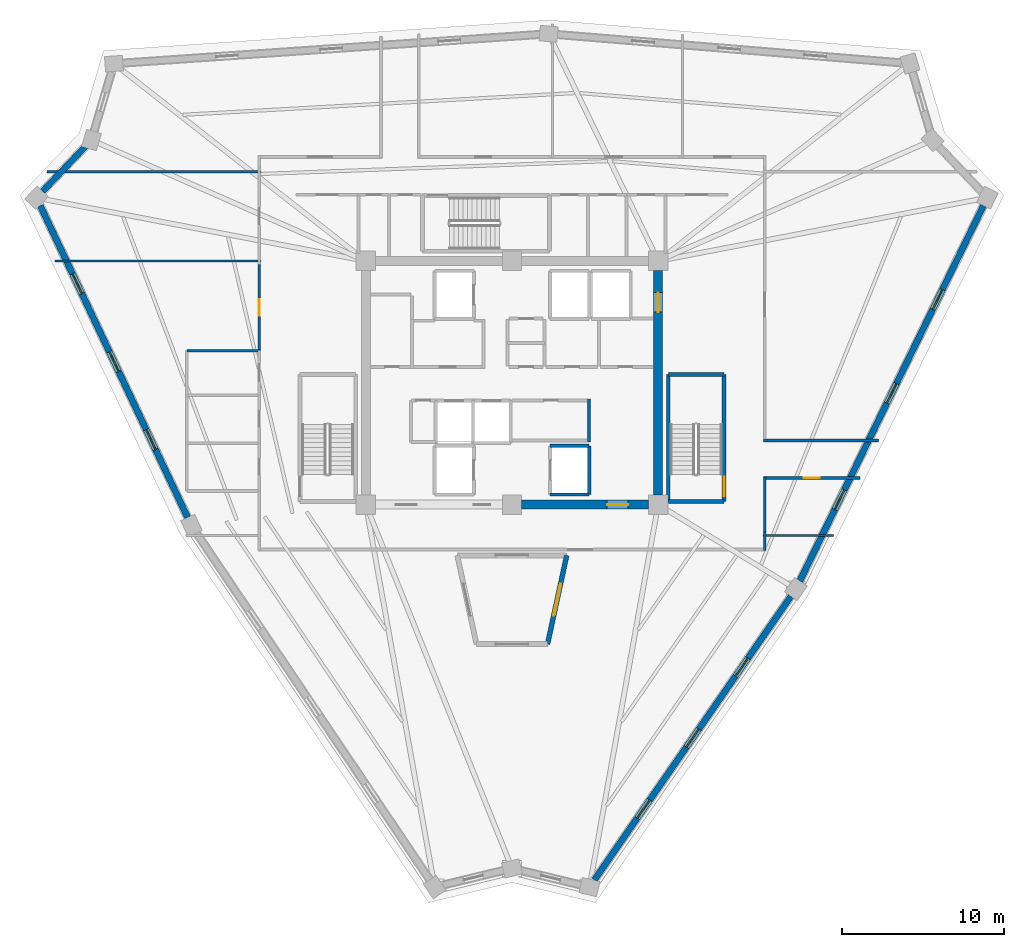
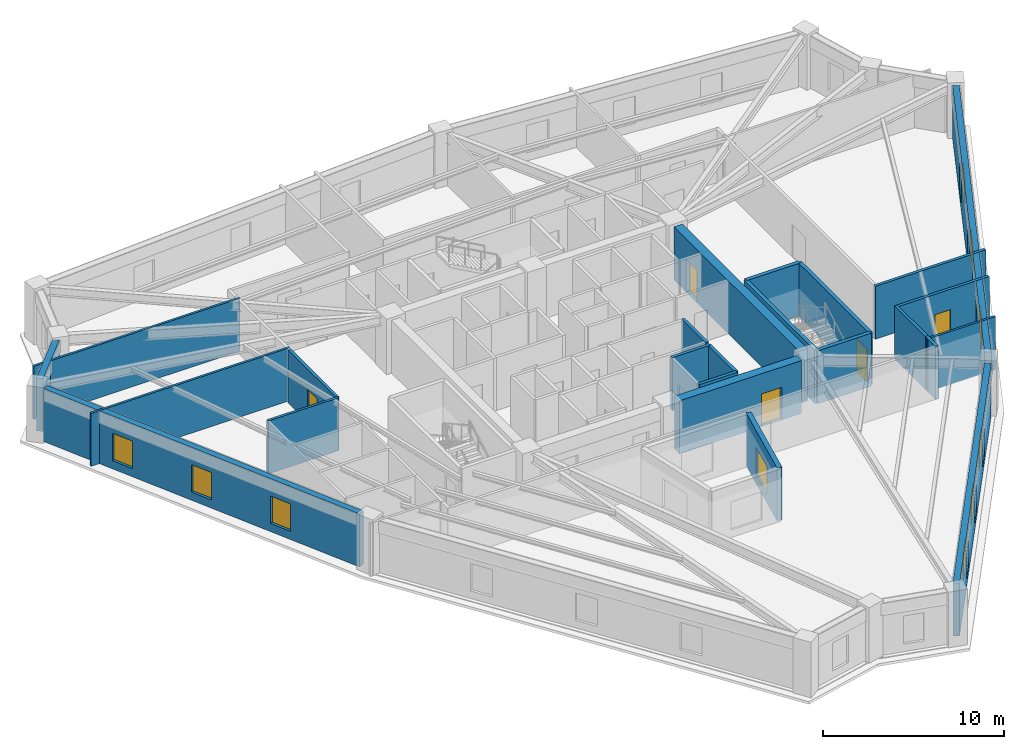
# One storey, part 4 of 9: 24 walls, 10 windows, 5 doors, 15 openings.
"""IFC4 building model written with IfcOpenShell, lengths in metres."""

from ifc_helpers import new_model, si_unit, direction, frame, frame_2d, origin, place, context, subcontext, project, spatial, rectangle, extrude, source, transform, mapped, material, layer, layer_set, type_object, element, fill, save


model = new_model("IFC4")

# Units and contexts
model_context = context("Model", 3, precision=1e-05, world=origin(), true_north=direction((0.0, 1.0)))
body_context = subcontext(model_context, "Body", "Model", "MODEL_VIEW")
ifc_project = project(units=[si_unit("LENGTHUNIT", "METRE"), si_unit("AREAUNIT", "SQUARE_METRE"), si_unit("VOLUMEUNIT", "CUBIC_METRE"), si_unit("PLANEANGLEUNIT", "RADIAN"), si_unit("MASSUNIT", "GRAM", prefix="KILO")], contexts=[model_context])

# Site, building, storey
site_placement = place(None, origin())
site = spatial("IfcSite", under=ifc_project, at=site_placement, CompositionType="ELEMENT")
building_placement = place(site_placement, origin())
building = spatial("IfcBuilding", under=site, at=building_placement, Name="Liaohun Quay Tower", CompositionType="ELEMENT")
storey_placement = place(building_placement, frame((0.0, 0.0, 328.5)))
storey = spatial("IfcBuildingStorey", under=building, at=storey_placement, Name="L85", CompositionType="ELEMENT", Elevation=328.5)

# Wall, opening, window
ifc_material_1 = material(Name="Concrete C50", Category="concrete")
ifc_layer_1 = layer(ifc_material_1, 0.300048828125, Name="Concrete C50", Category="concrete")
ifc_layer_set_1 = layer_set([ifc_layer_1], Name="Concrete C50")
wall_type_1 = type_object("IfcWallType", Name="WAL-ATR-300", PredefinedType="SOLIDWALL", material=ifc_layer_set_1)
wall_1_placement = place(storey_placement, frame((63.368896484375, 43.3701171875, 0.0), z_axis=(0.0, 0.0, 1.0), x_axis=(-0.211279697176, -0.977425644006, 0.0)))
wall_1 = element("IfcWall", 1, at=wall_1_placement, inside=storey, type_object=wall_type_1, Name="L85 Atrium Fire Compartment Wall 3", PredefinedType="SOLIDWALL", context=body_context, shape_type="SweptSolid", body=[
    extrude(rectangle(XDim=5.580078125, YDim=0.300048828125, at=frame_2d((2.7900390625, 0.0))), origin(), (0.0, 0.0, 1.0), 3.570068359375),
])
shared_shape_1 = source(origin(), body_context, "Body", "SweptSolid", [
    extrude(rectangle(XDim=2.0, YDim=1.89990234375, at=frame_2d((1.0, 0.949951171875))), frame((0.0, 0.159912109375, 0.0), z_axis=(0.0, -1.0, 0.0), x_axis=(1.0, 0.0, 0.0)), (0.0, 0.0, 1.0), 0.320068359375),
])
opening_1_placement = place(wall_1_placement, frame((1.7900390625, 0.0, 0.550048828125)))
opening_1 = element("IfcOpeningElement", 2, at=opening_1_placement, cuts=wall_1, Name="Opening W07", PredefinedType="OPENING", context=body_context, shape_type="MappedRepresentation", body=[
    mapped(shared_shape_1, transform((0.0, 0.0, 0.0), x_axis=(1.0, 0.0, 0.0), y_axis=(0.0, 1.0, 0.0), z_axis=(0.0, 0.0, 1.0), scale=1.0)),
])
ifc_material_2 = material(Name="Class A 180-min fire-resistant insulated glazing", Category="glass")
window_type_1 = type_object("IfcWindowType", Name="WIN-ATR-FIR", PartitioningType="DOUBLE_PANEL_VERTICAL", PredefinedType="WINDOW", material=ifc_material_2)
shared_shape_2 = source(origin(), body_context, "Body", "SweptSolid", [
    extrude(rectangle(XDim=2.0, YDim=1.89990234375, at=frame_2d((1.0, 0.949951171875))), frame((0.0, 0.030029296875, 0.0), z_axis=(0.0, -1.0, 0.0), x_axis=(1.0, 0.0, 0.0)), (0.0, 0.0, 1.0), 0.06005859375),
])
window_1_placement = place(opening_1_placement, origin())
window_1 = element("IfcWindow", 3, at=window_1_placement, inside=storey, type_object=window_type_1, Name="L85 Atrium Fire-Resistant Glazing W07-3", OverallHeight=1.89990234375, OverallWidth=2.0, PartitioningType="DOUBLE_PANEL_VERTICAL", PredefinedType="WINDOW", context=body_context, shape_type="MappedRepresentation", body=[
    mapped(shared_shape_2, transform((0.0, 0.0, 0.0), x_axis=(1.0, 0.0, 0.0), y_axis=(0.0, 1.0, 0.0), z_axis=(0.0, 0.0, 1.0), scale=1.0)),
])
fill(opening_1, window_1)

# Wall, opening, door
ifc_layer_2 = layer(ifc_material_1, 0.550048828125, Name="Concrete C50", Category="concrete")
ifc_layer_set_2 = layer_set([ifc_layer_2], Name="Concrete C50")
wall_type_2 = type_object("IfcWallType", Name="WAL-COR-Z4", PredefinedType="SHEAR", material=ifc_layer_set_2)
wall_2_placement = place(storey_placement, frame((69.0, 60.89990234375, 0.0), z_axis=(0.0, 0.0, 1.0), x_axis=(0.0, -1.0, 0.0)))
wall_2 = element("IfcWall", 4, at=wall_2_placement, inside=storey, type_object=wall_type_2, Name="L85 Central Core Shear Wall E", PredefinedType="SHEAR", context=body_context, shape_type="SweptSolid", body=[
    extrude(rectangle(XDim=13.7998046875, YDim=0.550048828125, at=frame_2d((6.89990234375, 0.0))), origin(), (0.0, 0.0, 1.0), 3.570068359375),
])
shared_shape_3 = source(origin(), body_context, "Body", "SweptSolid", [
    extrude(rectangle(XDim=1.199951171875, YDim=2.199951171875, at=frame_2d((0.60009765625, 1.10009765625))), frame((0.0, 0.284912109375, 0.0), z_axis=(0.0, -1.0, 0.0), x_axis=(1.0, 0.0, 0.0)), (0.0, 0.0, 1.0), 0.570068359375),
])
opening_2_placement = place(wall_2_placement, frame((1.35009765625, 0.0, 0.0)))
opening_2 = element("IfcOpeningElement", 5, at=opening_2_placement, cuts=wall_2, Name="Opening SD1", PredefinedType="OPENING", context=body_context, shape_type="MappedRepresentation", body=[
    mapped(shared_shape_3, transform((0.0, 0.0, 0.0), x_axis=(1.0, 0.0, 0.0), y_axis=(0.0, 1.0, 0.0), z_axis=(0.0, 0.0, 1.0), scale=1.0)),
])
ifc_material_3 = material(Name="Galvanised steel fire door", Category="steel")
door_type_1 = type_object("IfcDoorType", Name="DOR-STR-1200", OperationType="NOTDEFINED", PredefinedType="DOOR", material=ifc_material_3)
shared_shape_4 = source(origin(), body_context, "Body", "SweptSolid", [
    extrude(rectangle(XDim=1.199951171875, YDim=2.199951171875, at=frame_2d((0.60009765625, 1.10009765625))), frame((0.0, 0.02490234375, 0.0), z_axis=(0.0, -1.0, 0.0), x_axis=(1.0, 0.0, 0.0)), (0.0, 0.0, 1.0), 0.050048828125),
])
door_1_placement = place(opening_2_placement, origin())
door_1 = element("IfcDoor", 6, at=door_1_placement, inside=storey, type_object=door_type_1, Name="L85 North-East Core Lobby Smokeproof Door", OperationType="SINGLE_SWING_LEFT", OverallHeight=2.199951171875, OverallWidth=1.199951171875, PredefinedType="DOOR", context=body_context, shape_type="MappedRepresentation", body=[
    mapped(shared_shape_4, transform((0.0, 0.0, 0.0), x_axis=(1.0, 0.0, 0.0), y_axis=(0.0, 1.0, 0.0), z_axis=(0.0, 0.0, 1.0), scale=1.0)),
])
fill(opening_2, door_1)

wall_3_placement = place(storey_placement, frame((68.39990234375, 46.5, 0.0), z_axis=(0.0, 0.0, 1.0), x_axis=(-1.0, 0.0, 0.0)))
wall_3 = element("IfcWall", 7, at=wall_3_placement, inside=storey, type_object=wall_type_2, Name="L85 Central Core Shear Wall S-E", PredefinedType="SHEAR", context=body_context, shape_type="SweptSolid", body=[
    extrude(rectangle(XDim=7.7998046875, YDim=0.550048828125, at=frame_2d((3.89990234375, 0.0))), origin(), (0.0, 0.0, 1.0), 3.570068359375),
])
shared_shape_5 = source(origin(), body_context, "Body", "SweptSolid", [
    extrude(rectangle(XDim=1.300048828125, YDim=2.199951171875, at=frame_2d((0.64990234375, 1.10009765625))), frame((0.0, 0.284912109375, 0.0), z_axis=(0.0, -1.0, 0.0), x_axis=(1.0, 0.0, 0.0)), (0.0, 0.0, 1.0), 0.570068359375),
])
opening_3_placement = place(wall_3_placement, frame((1.25, 0.0, 0.0)))
opening_3 = element("IfcOpeningElement", 8, at=opening_3_placement, cuts=wall_3, Name="Opening FD1", PredefinedType="OPENING", context=body_context, shape_type="MappedRepresentation", body=[
    mapped(shared_shape_5, transform((0.0, 0.0, 0.0), x_axis=(1.0, 0.0, 0.0), y_axis=(0.0, 1.0, 0.0), z_axis=(0.0, 0.0, 1.0), scale=1.0)),
])
ifc_material_4 = material(Name="Galvanised steel smokeproof fire door", Category="steel")
door_type_2 = type_object("IfcDoorType", Name="DOR-FFL-1300", OperationType="NOTDEFINED", PredefinedType="DOOR", material=ifc_material_4)
shared_shape_6 = source(origin(), body_context, "Body", "SweptSolid", [
    extrude(rectangle(XDim=1.300048828125, YDim=2.199951171875, at=frame_2d((0.64990234375, 1.10009765625))), frame((0.0, 0.02490234375, 0.0), z_axis=(0.0, -1.0, 0.0), x_axis=(1.0, 0.0, 0.0)), (0.0, 0.0, 1.0), 0.050048828125),
])
door_2_placement = place(opening_3_placement, origin())
door_2 = element("IfcDoor", 9, at=door_2_placement, inside=storey, type_object=door_type_2, Name="L85 East Core Lift Lobby Smokeproof Door", OperationType="SINGLE_SWING_LEFT", OverallHeight=2.199951171875, OverallWidth=1.300048828125, PredefinedType="DOOR", context=body_context, shape_type="MappedRepresentation", body=[
    mapped(shared_shape_6, transform((0.0, 0.0, 0.0), x_axis=(1.0, 0.0, 0.0), y_axis=(0.0, 1.0, 0.0), z_axis=(0.0, 0.0, 1.0), scale=1.0)),
])
fill(opening_3, door_2)

# Wall, openings, windows
ifc_material_5 = material(Name="Precast concrete C50 insulated sandwich", Category="concrete")
ifc_layer_3 = layer(ifc_material_5, 0.3798828125, Name="Precast concrete C50 insulated sandwich", Category="concrete")
ifc_layer_set_3 = layer_set([ifc_layer_3], Name="Precast concrete C50 insulated sandwich")
wall_type_3 = type_object("IfcWallType", Name="WAL-EXT-Z34", PredefinedType="SOLIDWALL", material=ifc_layer_set_3)
wall_4_placement = place(storey_placement, frame((65.076904296875, 23.39599609375, 0.0), z_axis=(0.0, 0.0, 1.0), x_axis=(0.569337280664, 0.822104045025, 0.0)))
wall_4 = element("IfcWall", 10, at=wall_4_placement, inside=storey, type_object=wall_type_3, Name="L85 Brutalist Precast Pier Wall 02", PredefinedType="SOLIDWALL", context=body_context, shape_type="SweptSolid", body=[
    extrude(rectangle(XDim=21.240478515625, YDim=0.3798828125, at=frame_2d((10.6201171875, 0.0))), origin(), (0.0, 0.0, 1.0), 3.570068359375),
])
shared_shape_7 = source(origin(), body_context, "Body", "SweptSolid", [
    extrude(rectangle(XDim=1.35009765625, YDim=1.85009765625, at=frame_2d((0.675048828125, 0.925048828125))), frame((0.0, 0.199951171875, 0.0), z_axis=(0.0, -1.0, 0.0), x_axis=(1.0, 0.0, 0.0)), (0.0, 0.0, 1.0), 0.39990234375),
])
opening_4_placement = place(wall_4_placement, frame((4.635009765625, 0.0, 0.550048828125)))
opening_4 = element("IfcOpeningElement", 11, at=opening_4_placement, cuts=wall_4, Name="Opening W04", PredefinedType="OPENING", context=body_context, shape_type="MappedRepresentation", body=[
    mapped(shared_shape_7, transform((0.0, 0.0, 0.0), x_axis=(1.0, 0.0, 0.0), y_axis=(0.0, 1.0, 0.0), z_axis=(0.0, 0.0, 1.0), scale=1.0)),
])
opening_5_placement = place(wall_4_placement, frame((9.945068359375, 0.0, 0.550048828125)))
opening_5 = element("IfcOpeningElement", 12, at=opening_5_placement, cuts=wall_4, Name="Opening W04", PredefinedType="OPENING", context=body_context, shape_type="MappedRepresentation", body=[
    mapped(shared_shape_7, transform((0.0, 0.0, 0.0), x_axis=(1.0, 0.0, 0.0), y_axis=(0.0, 1.0, 0.0), z_axis=(0.0, 0.0, 1.0), scale=1.0)),
])
opening_6_placement = place(wall_4_placement, frame((15.2548828125, 0.0, 0.550048828125)))
opening_6 = element("IfcOpeningElement", 13, at=opening_6_placement, cuts=wall_4, Name="Opening W04", PredefinedType="OPENING", context=body_context, shape_type="MappedRepresentation", body=[
    mapped(shared_shape_7, transform((0.0, 0.0, 0.0), x_axis=(1.0, 0.0, 0.0), y_axis=(0.0, 1.0, 0.0), z_axis=(0.0, 0.0, 1.0), scale=1.0)),
])
ifc_material_6 = material(Name="Triple Low-E argon glazing in thermally broken aluminium", Category="aluminium")
window_type_2 = type_object("IfcWindowType", Name="WIN-PUN-Z4", PartitioningType="SINGLE_PANEL", PredefinedType="WINDOW", material=ifc_material_6)
shared_shape_8 = source(origin(), body_context, "Body", "SweptSolid", [
    extrude(rectangle(XDim=1.35009765625, YDim=1.85009765625, at=frame_2d((0.675048828125, 0.925048828125))), frame((0.0, 0.030029296875, 0.0), z_axis=(0.0, -1.0, 0.0), x_axis=(1.0, 0.0, 0.0)), (0.0, 0.0, 1.0), 0.06005859375),
])
window_2_placement = place(opening_4_placement, origin())
window_2 = element("IfcWindow", 14, at=window_2_placement, inside=storey, type_object=window_type_2, Name="L85 Recessed Cold-Climate Punched Window 02-1", OverallHeight=1.85009765625, OverallWidth=1.35009765625, PartitioningType="SINGLE_PANEL", PredefinedType="WINDOW", context=body_context, shape_type="MappedRepresentation", body=[
    mapped(shared_shape_8, transform((0.0, 0.0, 0.0), x_axis=(1.0, 0.0, 0.0), y_axis=(0.0, 1.0, 0.0), z_axis=(0.0, 0.0, 1.0), scale=1.0)),
])
fill(opening_4, window_2)
window_3_placement = place(opening_5_placement, origin())
window_3 = element("IfcWindow", 15, at=window_3_placement, inside=storey, type_object=window_type_2, Name="L85 Recessed Cold-Climate Punched Window 02-2", OverallHeight=1.85009765625, OverallWidth=1.35009765625, PartitioningType="SINGLE_PANEL", PredefinedType="WINDOW", context=body_context, shape_type="MappedRepresentation", body=[
    mapped(shared_shape_8, transform((0.0, 0.0, 0.0), x_axis=(1.0, 0.0, 0.0), y_axis=(0.0, 1.0, 0.0), z_axis=(0.0, 0.0, 1.0), scale=1.0)),
])
fill(opening_5, window_3)
window_4_placement = place(opening_6_placement, origin())
window_4 = element("IfcWindow", 16, at=window_4_placement, inside=storey, type_object=window_type_2, Name="L85 Recessed Cold-Climate Punched Window 02-3", OverallHeight=1.85009765625, OverallWidth=1.35009765625, PartitioningType="SINGLE_PANEL", PredefinedType="WINDOW", context=body_context, shape_type="MappedRepresentation", body=[
    mapped(shared_shape_8, transform((0.0, 0.0, 0.0), x_axis=(1.0, 0.0, 0.0), y_axis=(0.0, 1.0, 0.0), z_axis=(0.0, 0.0, 1.0), scale=1.0)),
])
fill(opening_6, window_4)

wall_5_placement = place(storey_placement, frame((77.714111328125, 41.787109375, 0.0), z_axis=(0.0, 0.0, 1.0), x_axis=(0.439535610403, 0.898225165083, 0.0)))
wall_5 = element("IfcWall", 17, at=wall_5_placement, inside=storey, type_object=wall_type_3, Name="L85 Brutalist Precast Pier Wall 03", PredefinedType="SOLIDWALL", context=body_context, shape_type="SweptSolid", body=[
    extrude(rectangle(XDim=25.747314453125, YDim=0.3798828125, at=frame_2d((12.87353515625, 0.0))), origin(), (0.0, 0.0, 1.0), 3.570068359375),
])
opening_7_placement = place(wall_5_placement, frame((4.912109375, 0.0, 0.550048828125)))
opening_7 = element("IfcOpeningElement", 18, at=opening_7_placement, cuts=wall_5, Name="Opening W04", PredefinedType="OPENING", context=body_context, shape_type="MappedRepresentation", body=[
    mapped(shared_shape_7, transform((0.0, 0.0, 0.0), x_axis=(1.0, 0.0, 0.0), y_axis=(0.0, 1.0, 0.0), z_axis=(0.0, 0.0, 1.0), scale=1.0)),
])
opening_8_placement = place(wall_5_placement, frame((12.198974609375, 0.0, 0.550048828125)))
opening_8 = element("IfcOpeningElement", 19, at=opening_8_placement, cuts=wall_5, Name="Opening W04", PredefinedType="OPENING", context=body_context, shape_type="MappedRepresentation", body=[
    mapped(shared_shape_7, transform((0.0, 0.0, 0.0), x_axis=(1.0, 0.0, 0.0), y_axis=(0.0, 1.0, 0.0), z_axis=(0.0, 0.0, 1.0), scale=1.0)),
])
opening_9_placement = place(wall_5_placement, frame((18.635986328125, 0.0, 0.550048828125)))
opening_9 = element("IfcOpeningElement", 20, at=opening_9_placement, cuts=wall_5, Name="Opening W04", PredefinedType="OPENING", context=body_context, shape_type="MappedRepresentation", body=[
    mapped(shared_shape_7, transform((0.0, 0.0, 0.0), x_axis=(1.0, 0.0, 0.0), y_axis=(0.0, 1.0, 0.0), z_axis=(0.0, 0.0, 1.0), scale=1.0)),
])
window_5_placement = place(opening_7_placement, origin())
window_5 = element("IfcWindow", 21, at=window_5_placement, inside=storey, type_object=window_type_2, Name="L85 Recessed Cold-Climate Punched Window 03-1", OverallHeight=1.85009765625, OverallWidth=1.35009765625, PartitioningType="SINGLE_PANEL", PredefinedType="WINDOW", context=body_context, shape_type="MappedRepresentation", body=[
    mapped(shared_shape_8, transform((0.0, 0.0, 0.0), x_axis=(1.0, 0.0, 0.0), y_axis=(0.0, 1.0, 0.0), z_axis=(0.0, 0.0, 1.0), scale=1.0)),
])
fill(opening_7, window_5)
window_6_placement = place(opening_8_placement, origin())
window_6 = element("IfcWindow", 22, at=window_6_placement, inside=storey, type_object=window_type_2, Name="L85 Recessed Cold-Climate Punched Window 03-2", OverallHeight=1.85009765625, OverallWidth=1.35009765625, PartitioningType="SINGLE_PANEL", PredefinedType="WINDOW", context=body_context, shape_type="MappedRepresentation", body=[
    mapped(shared_shape_8, transform((0.0, 0.0, 0.0), x_axis=(1.0, 0.0, 0.0), y_axis=(0.0, 1.0, 0.0), z_axis=(0.0, 0.0, 1.0), scale=1.0)),
])
fill(opening_8, window_6)
window_7_placement = place(opening_9_placement, origin())
window_7 = element("IfcWindow", 23, at=window_7_placement, inside=storey, type_object=window_type_2, Name="L85 Recessed Cold-Climate Punched Window 03-3", OverallHeight=1.85009765625, OverallWidth=1.35009765625, PartitioningType="SINGLE_PANEL", PredefinedType="WINDOW", context=body_context, shape_type="MappedRepresentation", body=[
    mapped(shared_shape_8, transform((0.0, 0.0, 0.0), x_axis=(1.0, 0.0, 0.0), y_axis=(0.0, 1.0, 0.0), z_axis=(0.0, 0.0, 1.0), scale=1.0)),
])
fill(opening_9, window_7)

# Wall
wall_6_placement = place(storey_placement, frame((33.737060546875, 68.556884765625, 0.0), z_axis=(0.0, 0.0, 1.0), x_axis=(-0.689248887434, -0.724524651872, 0.0)))
element("IfcWall", 24, at=wall_6_placement, inside=storey, type_object=wall_type_3, Name="L85 Brutalist Precast Pier Wall 09", PredefinedType="SOLIDWALL", context=body_context, shape_type="SweptSolid", body=[
    extrude(rectangle(XDim=3.8271484375, YDim=0.3798828125, at=frame_2d((1.91357421875, 0.0))), origin(), (0.0, 0.0, 1.0), 3.570068359375),
])

# Wall, openings, windows
wall_7_placement = place(storey_placement, frame((30.9580078125, 64.905029296875, 0.0), z_axis=(0.0, 0.0, 1.0), x_axis=(0.427288231304, -0.904115461315, 0.0)))
wall_7 = element("IfcWall", 25, at=wall_7_placement, inside=storey, type_object=wall_type_3, Name="L85 Brutalist Precast Pier Wall 10", PredefinedType="SOLIDWALL", context=body_context, shape_type="SweptSolid", body=[
    extrude(rectangle(XDim=21.24072265625, YDim=0.3798828125, at=frame_2d((10.620361328125, 0.0))), origin(), (0.0, 0.0, 1.0), 3.570068359375),
])
opening_10_placement = place(wall_7_placement, frame((4.635009765625, 0.0, 0.550048828125)))
opening_10 = element("IfcOpeningElement", 26, at=opening_10_placement, cuts=wall_7, Name="Opening W04", PredefinedType="OPENING", context=body_context, shape_type="MappedRepresentation", body=[
    mapped(shared_shape_7, transform((0.0, 0.0, 0.0), x_axis=(1.0, 0.0, 0.0), y_axis=(0.0, 1.0, 0.0), z_axis=(0.0, 0.0, 1.0), scale=1.0)),
])
opening_11_placement = place(wall_7_placement, frame((9.945068359375, 0.0, 0.550048828125)))
opening_11 = element("IfcOpeningElement", 27, at=opening_11_placement, cuts=wall_7, Name="Opening W04", PredefinedType="OPENING", context=body_context, shape_type="MappedRepresentation", body=[
    mapped(shared_shape_7, transform((0.0, 0.0, 0.0), x_axis=(1.0, 0.0, 0.0), y_axis=(0.0, 1.0, 0.0), z_axis=(0.0, 0.0, 1.0), scale=1.0)),
])
opening_12_placement = place(wall_7_placement, frame((15.256103515625, 0.0, 0.550048828125)))
opening_12 = element("IfcOpeningElement", 28, at=opening_12_placement, cuts=wall_7, Name="Opening W04", PredefinedType="OPENING", context=body_context, shape_type="MappedRepresentation", body=[
    mapped(shared_shape_7, transform((0.0, 0.0, 0.0), x_axis=(1.0, 0.0, 0.0), y_axis=(0.0, 1.0, 0.0), z_axis=(0.0, 0.0, 1.0), scale=1.0)),
])
window_8_placement = place(opening_10_placement, origin())
window_8 = element("IfcWindow", 29, at=window_8_placement, inside=storey, type_object=window_type_2, Name="L85 Recessed Cold-Climate Punched Window 10-1", OverallHeight=1.85009765625, OverallWidth=1.35009765625, PartitioningType="SINGLE_PANEL", PredefinedType="WINDOW", context=body_context, shape_type="MappedRepresentation", body=[
    mapped(shared_shape_8, transform((0.0, 0.0, 0.0), x_axis=(1.0, 0.0, 0.0), y_axis=(0.0, 1.0, 0.0), z_axis=(0.0, 0.0, 1.0), scale=1.0)),
])
fill(opening_10, window_8)
window_9_placement = place(opening_11_placement, origin())
window_9 = element("IfcWindow", 30, at=window_9_placement, inside=storey, type_object=window_type_2, Name="L85 Recessed Cold-Climate Punched Window 10-2", OverallHeight=1.85009765625, OverallWidth=1.35009765625, PartitioningType="SINGLE_PANEL", PredefinedType="WINDOW", context=body_context, shape_type="MappedRepresentation", body=[
    mapped(shared_shape_8, transform((0.0, 0.0, 0.0), x_axis=(1.0, 0.0, 0.0), y_axis=(0.0, 1.0, 0.0), z_axis=(0.0, 0.0, 1.0), scale=1.0)),
])
fill(opening_11, window_9)
window_10_placement = place(opening_12_placement, origin())
window_10 = element("IfcWindow", 31, at=window_10_placement, inside=storey, type_object=window_type_2, Name="L85 Recessed Cold-Climate Punched Window 10-3", OverallHeight=1.85009765625, OverallWidth=1.35009765625, PartitioningType="SINGLE_PANEL", PredefinedType="WINDOW", context=body_context, shape_type="MappedRepresentation", body=[
    mapped(shared_shape_8, transform((0.0, 0.0, 0.0), x_axis=(1.0, 0.0, 0.0), y_axis=(0.0, 1.0, 0.0), z_axis=(0.0, 0.0, 1.0), scale=1.0)),
])
fill(opening_12, window_10)

# Wall, opening, door
ifc_material_7 = material(Name="Autoclaved aerated concrete blockwork", Category="masonry")
ifc_layer_4 = layer(ifc_material_7, 0.179931640625, Name="Autoclaved aerated concrete blockwork", Category="masonry")
ifc_layer_set_4 = layer_set([ifc_layer_4], Name="Autoclaved aerated concrete blockwork")
wall_type_4 = type_object("IfcWallType", Name="WAL-PRT-COR", PredefinedType="PARTITIONING", material=ifc_layer_set_4)
wall_8_placement = place(storey_placement, frame((44.43994140625, 55.97998046875, 0.0), z_axis=(0.0, 0.0, 1.0), x_axis=(0.0, 1.0, 0.0)))
wall_8 = element("IfcWall", 32, at=wall_8_placement, inside=storey, type_object=wall_type_4, Name="L85 Interior Partition Wall 025", PredefinedType="PARTITIONING", context=body_context, shape_type="SweptSolid", body=[
    extrude(rectangle(XDim=5.304931640625, YDim=0.179931640625, at=frame_2d((2.65234375, 0.0))), origin(), (0.0, 0.0, 1.0), 3.570068359375),
])
shared_shape_9 = source(origin(), body_context, "Body", "SweptSolid", [
    extrude(rectangle(XDim=1.0, YDim=2.199951171875, at=frame_2d((0.5, 1.10009765625))), frame((0.0, 0.099853515625, 0.0), z_axis=(0.0, -1.0, 0.0), x_axis=(1.0, 0.0, 0.0)), (0.0, 0.0, 1.0), 0.199951171875),
])
opening_13_placement = place(wall_8_placement, frame((2.152099609375, 0.0, 0.0)))
opening_13 = element("IfcOpeningElement", 33, at=opening_13_placement, cuts=wall_8, Name="Opening OD1", PredefinedType="OPENING", context=body_context, shape_type="MappedRepresentation", body=[
    mapped(shared_shape_9, transform((0.0, 0.0, 0.0), x_axis=(1.0, 0.0, 0.0), y_axis=(0.0, 1.0, 0.0), z_axis=(0.0, 0.0, 1.0), scale=1.0)),
])
ifc_material_8 = material(Name="Solid-core oak veneer timber leaf in steel frame", Category="steel")
door_type_3 = type_object("IfcDoorType", Name="DOR-OFF-1000", OperationType="NOTDEFINED", PredefinedType="DOOR", material=ifc_material_8)
shared_shape_10 = source(origin(), body_context, "Body", "SweptSolid", [
    extrude(rectangle(XDim=1.0, YDim=2.199951171875, at=frame_2d((0.5, 1.10009765625))), frame((0.0, 0.02490234375, 0.0), z_axis=(0.0, -1.0, 0.0), x_axis=(1.0, 0.0, 0.0)), (0.0, 0.0, 1.0), 0.050048828125),
])
door_3_placement = place(opening_13_placement, origin())
door_3 = element("IfcDoor", 34, at=door_3_placement, inside=storey, type_object=door_type_3, Name="L85 Occupational Wellness Clinic 07 Door", OperationType="SINGLE_SWING_LEFT", OverallHeight=2.199951171875, OverallWidth=1.0, PredefinedType="DOOR", context=body_context, shape_type="MappedRepresentation", body=[
    mapped(shared_shape_10, transform((0.0, 0.0, 0.0), x_axis=(1.0, 0.0, 0.0), y_axis=(0.0, 1.0, 0.0), z_axis=(0.0, 0.0, 1.0), scale=1.0)),
])
fill(opening_13, door_3)

wall_9_placement = place(storey_placement, frame((81.416015625, 48.139892578125, 0.0), z_axis=(0.0, 0.0, 1.0), x_axis=(-1.0, 0.0, 0.0)))
wall_9 = element("IfcWall", 35, at=wall_9_placement, inside=storey, type_object=wall_type_4, Name="L85 Interior Partition Wall 027", PredefinedType="PARTITIONING", context=body_context, shape_type="SweptSolid", body=[
    extrude(rectangle(XDim=5.926025390625, YDim=0.179931640625, at=frame_2d((2.962890625, 0.0))), origin(), (0.0, 0.0, 1.0), 3.570068359375),
])
opening_14_placement = place(wall_9_placement, frame((2.462890625, 0.0, 0.0)))
opening_14 = element("IfcOpeningElement", 36, at=opening_14_placement, cuts=wall_9, Name="Opening OD1", PredefinedType="OPENING", context=body_context, shape_type="MappedRepresentation", body=[
    mapped(shared_shape_9, transform((0.0, 0.0, 0.0), x_axis=(1.0, 0.0, 0.0), y_axis=(0.0, 1.0, 0.0), z_axis=(0.0, 0.0, 1.0), scale=1.0)),
])
door_4_placement = place(opening_14_placement, origin())
door_4 = element("IfcDoor", 37, at=door_4_placement, inside=storey, type_object=door_type_3, Name="L85 Records Archive Store 09 Door", OperationType="SINGLE_SWING_LEFT", OverallHeight=2.199951171875, OverallWidth=1.0, PredefinedType="DOOR", context=body_context, shape_type="MappedRepresentation", body=[
    mapped(shared_shape_10, transform((0.0, 0.0, 0.0), x_axis=(1.0, 0.0, 0.0), y_axis=(0.0, 1.0, 0.0), z_axis=(0.0, 0.0, 1.0), scale=1.0)),
])
fill(opening_14, door_4)

# Walls
wall_10_placement = place(storey_placement, frame((75.489990234375, 50.4599609375, 0.0), z_axis=(0.0, 0.0, 1.0), x_axis=(1.0, 0.0, 0.0)))
element("IfcWall", 38, at=wall_10_placement, inside=storey, type_object=wall_type_4, Name="L85 Interior Partition Wall 045", PredefinedType="PARTITIONING", context=body_context, shape_type="SweptSolid", body=[
    extrude(rectangle(XDim=7.06103515625, YDim=0.179931640625, at=frame_2d((3.530517578125, 0.0))), origin(), (0.0, 0.0, 1.0), 3.570068359375),
])
wall_11_placement = place(storey_placement, frame((75.56005859375, 44.81494140625, 0.0), z_axis=(0.0, 0.0, 1.0), x_axis=(0.0, -1.0, 0.0)))
element("IfcWall", 39, at=wall_11_placement, inside=storey, type_object=wall_type_4, Name="L85 Interior Partition Wall 052", PredefinedType="PARTITIONING", context=body_context, shape_type="SweptSolid", body=[
    extrude(rectangle(XDim=1.14501953125, YDim=0.179931640625, at=frame_2d((0.572509765625, 0.0))), origin(), (0.0, 0.0, 1.0), 3.570068359375),
])
wall_12_placement = place(storey_placement, frame((75.56005859375, 48.2099609375, 0.0), z_axis=(0.0, 0.0, 1.0), x_axis=(0.0, -1.0, 0.0)))
element("IfcWall", 40, at=wall_12_placement, inside=storey, type_object=wall_type_4, Name="L85 Interior Partition Wall 053", PredefinedType="PARTITIONING", context=body_context, shape_type="SweptSolid", body=[
    extrude(rectangle(XDim=3.39501953125, YDim=0.179931640625, at=frame_2d((1.697509765625, 0.0))), origin(), (0.0, 0.0, 1.0), 3.570068359375),
])
wall_13_placement = place(storey_placement, frame((64.75, 50.360107421875, 0.0), z_axis=(0.0, 0.0, 1.0), x_axis=(0.0, 1.0, 0.0)))
element("IfcWall", 41, at=wall_13_placement, inside=storey, type_object=wall_type_4, Name="L85 Interior Partition Wall 061", PredefinedType="PARTITIONING", context=body_context, shape_type="SweptSolid", body=[
    extrude(rectangle(XDim=2.64990234375, YDim=0.179931640625, at=frame_2d((1.324951171875, 0.0))), origin(), (0.0, 0.0, 1.0), 3.570068359375),
])
ifc_material_9 = material(Name="Gypsum board on twin steel studs", Category="steel")
ifc_layer_5 = layer(ifc_material_9, 0.139892578125, Name="Gypsum board on twin steel studs", Category="steel")
ifc_layer_set_5 = layer_set([ifc_layer_5], Name="Gypsum board on twin steel studs")
wall_type_5 = type_object("IfcWallType", Name="WAL-PRT-OFF", PredefinedType="PARTITIONING", material=ifc_layer_set_5)
wall_14_placement = place(storey_placement, frame((44.5400390625, 61.5, 0.0), z_axis=(0.0, 0.0, 1.0), x_axis=(-1.0, 0.0, 0.0)))
element("IfcWall", 42, at=wall_14_placement, inside=storey, type_object=wall_type_5, Name="L85 Interior Partition Wall 055", PredefinedType="PARTITIONING", context=body_context, shape_type="SweptSolid", body=[
    extrude(rectangle(XDim=12.669921875, YDim=0.139892578125, at=frame_2d((6.3349609375, 0.0))), origin(), (0.0, 0.0, 1.0), 3.570068359375),
])
wall_15_placement = place(storey_placement, frame((44.5400390625, 67.0, 0.0), z_axis=(0.0, 0.0, 1.0), x_axis=(-1.0, 0.0, 0.0)))
element("IfcWall", 43, at=wall_15_placement, inside=storey, type_object=wall_type_5, Name="L85 Interior Partition Wall 056", PredefinedType="PARTITIONING", context=body_context, shape_type="SweptSolid", body=[
    extrude(rectangle(XDim=13.154052734375, YDim=0.139892578125, at=frame_2d((6.5771484375, 0.0))), origin(), (0.0, 0.0, 1.0), 3.570068359375),
])
wall_16_placement = place(storey_placement, frame((75.4599609375, 44.60009765625, 0.0), z_axis=(0.0, 0.0, 1.0), x_axis=(1.0, 0.0, 0.0)))
element("IfcWall", 44, at=wall_16_placement, inside=storey, type_object=wall_type_5, Name="L85 Interior Partition Wall 057", PredefinedType="PARTITIONING", context=body_context, shape_type="SweptSolid", body=[
    extrude(rectangle(XDim=4.33203125, YDim=0.139892578125, at=frame_2d((2.166015625, 0.0))), origin(), (0.0, 0.0, 1.0), 3.570068359375),
])
ifc_material_10 = material(Name="Moisture-resistant masonry blockwork", Category="masonry")
ifc_layer_6 = layer(ifc_material_10, 0.159912109375, Name="Moisture-resistant masonry blockwork", Category="masonry")
ifc_layer_set_6 = layer_set([ifc_layer_6], Name="Moisture-resistant masonry blockwork")
wall_type_6 = type_object("IfcWallType", Name="WAL-PRT-WET", PredefinedType="PARTITIONING", material=ifc_layer_set_6)
wall_17_placement = place(storey_placement, frame((39.97998046875, 55.97998046875, 0.0), z_axis=(0.0, 0.0, 1.0), x_axis=(1.0, 0.0, 0.0)))
element("IfcWall", 45, at=wall_17_placement, inside=storey, type_object=wall_type_6, Name="L85 Interior Partition Wall 039", PredefinedType="PARTITIONING", context=body_context, shape_type="SweptSolid", body=[
    extrude(rectangle(XDim=4.4599609375, YDim=0.159912109375, at=frame_2d((2.22998046875, 0.0))), origin(), (0.0, 0.0, 1.0), 3.570068359375),
])
ifc_layer_7 = layer(ifc_material_1, 0.239990234375, Name="Concrete C50", Category="concrete")
ifc_layer_set_7 = layer_set([ifc_layer_7], Name="Concrete C50")
wall_type_7 = type_object("IfcWallType", Name="WAL-SHF-200", PredefinedType="SOLIDWALL", material=ifc_layer_set_7)
wall_18_placement = place(storey_placement, frame((69.6201171875, 46.699951171875, 0.0), z_axis=(0.0, 0.0, 1.0), x_axis=(1.0, 0.0, 0.0)))
element("IfcWall", 46, at=wall_18_placement, inside=storey, type_object=wall_type_7, Name="L85 Stairwell ST-2 Structural Core Wall S", PredefinedType="SOLIDWALL", context=body_context, shape_type="SweptSolid", body=[
    extrude(rectangle(XDim=3.43994140625, YDim=0.239990234375, at=frame_2d((1.719970703125, 0.0))), origin(), (0.0, 0.0, 1.0), 3.570068359375),
])

# Wall, opening, door
wall_19_placement = place(storey_placement, frame((73.06005859375, 46.699951171875, 0.0), z_axis=(0.0, 0.0, 1.0), x_axis=(0.0, 1.0, 0.0)))
wall_19 = element("IfcWall", 47, at=wall_19_placement, inside=storey, type_object=wall_type_7, Name="L85 Stairwell ST-2 Structural Core Wall E", PredefinedType="SOLIDWALL", context=body_context, shape_type="SweptSolid", body=[
    extrude(rectangle(XDim=7.820068359375, YDim=0.239990234375, at=frame_2d((3.91015625, 0.0))), origin(), (0.0, 0.0, 1.0), 3.570068359375),
])
shared_shape_11 = source(origin(), body_context, "Body", "SweptSolid", [
    extrude(rectangle(XDim=1.199951171875, YDim=2.199951171875, at=frame_2d((0.60009765625, 1.10009765625))), frame((0.0, 0.1298828125, 0.0), z_axis=(0.0, -1.0, 0.0), x_axis=(1.0, 0.0, 0.0)), (0.0, 0.0, 1.0), 0.260009765625),
])
opening_15_placement = place(wall_19_placement, frame((0.320068359375, 0.0, 0.0)))
opening_15 = element("IfcOpeningElement", 48, at=opening_15_placement, cuts=wall_19, Name="Opening SD1", PredefinedType="OPENING", context=body_context, shape_type="MappedRepresentation", body=[
    mapped(shared_shape_11, transform((0.0, 0.0, 0.0), x_axis=(1.0, 0.0, 0.0), y_axis=(0.0, 1.0, 0.0), z_axis=(0.0, 0.0, 1.0), scale=1.0)),
])
door_5_placement = place(opening_15_placement, origin())
door_5 = element("IfcDoor", 49, at=door_5_placement, inside=storey, type_object=door_type_1, Name="L85 Protected Stair ST-2 Fire Door", OperationType="SINGLE_SWING_RIGHT", OverallHeight=2.199951171875, OverallWidth=1.199951171875, PredefinedType="DOOR", context=body_context, shape_type="MappedRepresentation", body=[
    mapped(shared_shape_4, transform((0.0, 0.0, 0.0), x_axis=(1.0, 0.0, 0.0), y_axis=(0.0, 1.0, 0.0), z_axis=(0.0, 0.0, 1.0), scale=1.0)),
])
fill(opening_15, door_5)

# Walls
wall_20_placement = place(storey_placement, frame((73.06005859375, 54.52001953125, 0.0), z_axis=(0.0, 0.0, 1.0), x_axis=(-1.0, 0.0, 0.0)))
element("IfcWall", 50, at=wall_20_placement, inside=storey, type_object=wall_type_7, Name="L85 Stairwell ST-2 Structural Core Wall N", PredefinedType="SOLIDWALL", context=body_context, shape_type="SweptSolid", body=[
    extrude(rectangle(XDim=3.43994140625, YDim=0.239990234375, at=frame_2d((1.719970703125, 0.0))), origin(), (0.0, 0.0, 1.0), 3.570068359375),
])
wall_21_placement = place(storey_placement, frame((69.6201171875, 54.52001953125, 0.0), z_axis=(0.0, 0.0, 1.0), x_axis=(0.0, -1.0, 0.0)))
element("IfcWall", 51, at=wall_21_placement, inside=storey, type_object=wall_type_7, Name="L85 Stairwell ST-2 Structural Core Wall W", PredefinedType="SOLIDWALL", context=body_context, shape_type="SweptSolid", body=[
    extrude(rectangle(XDim=7.820068359375, YDim=0.239990234375, at=frame_2d((3.91015625, 0.0))), origin(), (0.0, 0.0, 1.0), 3.570068359375),
])
wall_22_placement = place(storey_placement, frame((62.35009765625, 47.1201171875, 0.0), z_axis=(0.0, 0.0, 1.0), x_axis=(1.0, 0.0, 0.0)))
element("IfcWall", 52, at=wall_22_placement, inside=storey, type_object=wall_type_7, Name="L85 Lift FF-02 Hoistway Wall S", PredefinedType="SOLIDWALL", context=body_context, shape_type="SweptSolid", body=[
    extrude(rectangle(XDim=2.39990234375, YDim=0.199951171875, at=frame_2d((1.199951171875, 0.0))), origin(), (0.0, 0.0, 1.0), 3.570068359375),
])
wall_23_placement = place(storey_placement, frame((64.75, 47.1201171875, 0.0), z_axis=(0.0, 0.0, 1.0), x_axis=(0.0, 1.0, 0.0)))
element("IfcWall", 53, at=wall_23_placement, inside=storey, type_object=wall_type_7, Name="L85 Lift FF-02 Hoistway Wall E", PredefinedType="SOLIDWALL", context=body_context, shape_type="SweptSolid", body=[
    extrude(rectangle(XDim=3.0, YDim=0.199951171875, at=frame_2d((1.5, 0.0))), origin(), (0.0, 0.0, 1.0), 3.570068359375),
])
wall_24_placement = place(storey_placement, frame((64.75, 50.1201171875, 0.0), z_axis=(0.0, 0.0, 1.0), x_axis=(-1.0, 0.0, 0.0)))
element("IfcWall", 54, at=wall_24_placement, inside=storey, type_object=wall_type_7, Name="L85 Lift FF-02 Hoistway Wall N", PredefinedType="SOLIDWALL", context=body_context, shape_type="SweptSolid", body=[
    extrude(rectangle(XDim=2.39990234375, YDim=0.199951171875, at=frame_2d((1.199951171875, 0.0))), origin(), (0.0, 0.0, 1.0), 3.570068359375),
])

save(model, "model.ifc")
